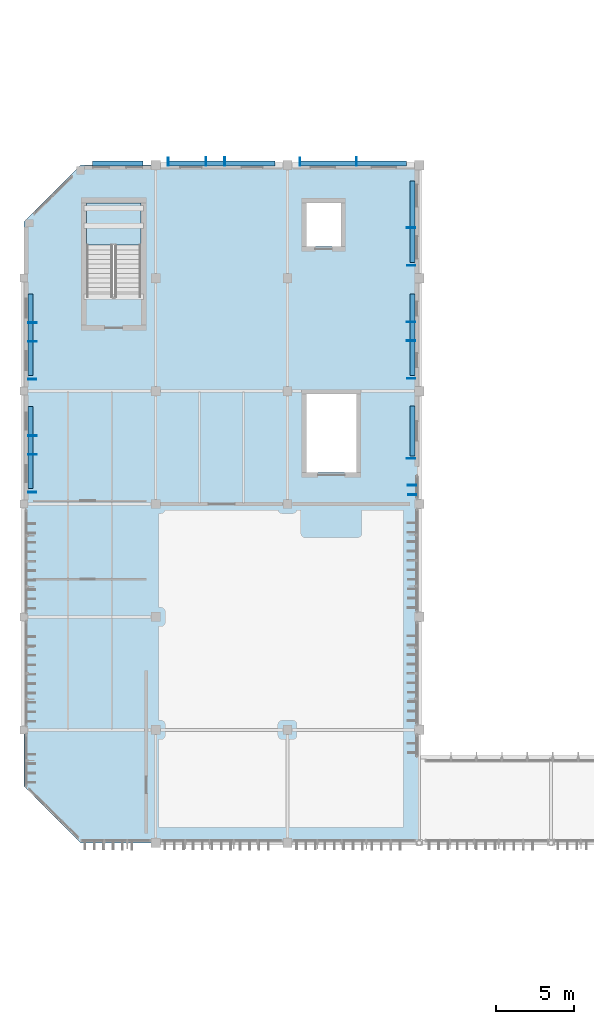
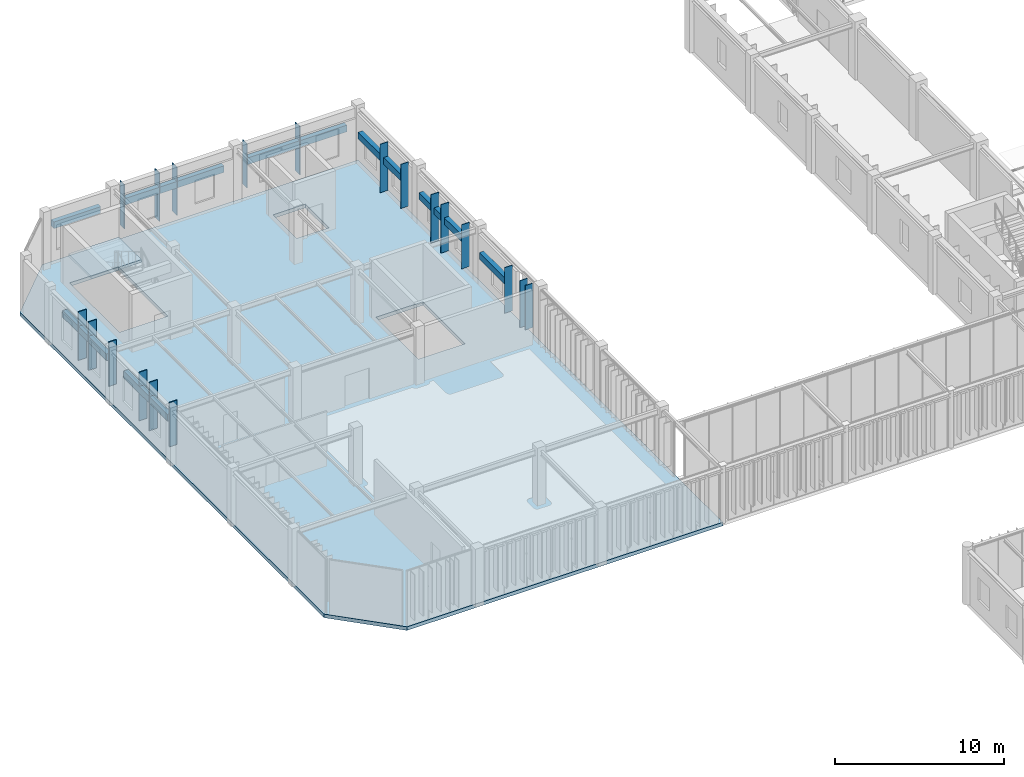
# One storey, part 24 of 104: 27 plates, 2 slabs, 1 element without a shape of its own.
"""IFC4 building model written with IfcOpenShell, lengths in metres."""

from ifc_helpers import new_model, si_unit, direction, frame, origin, origin_2d, place, context, subcontext, project, spatial, polyline, rectangle, outline, extrude, material, layer, layer_set, type_object, element, aggregate, save


model = new_model("IFC4")

# Units and contexts
model_context = context("Model", 3, precision=1e-05, world=origin(), true_north=direction((0.0, 1.0)))
body_context = subcontext(model_context, "Body", "Model", "MODEL_VIEW")
ifc_project = project(units=[si_unit("LENGTHUNIT", "METRE"), si_unit("AREAUNIT", "SQUARE_METRE"), si_unit("VOLUMEUNIT", "CUBIC_METRE"), si_unit("PLANEANGLEUNIT", "RADIAN"), si_unit("MASSUNIT", "GRAM", prefix="KILO")], contexts=[model_context])

# Site, building, storey
site_placement = place(None, origin())
site = spatial("IfcSite", under=ifc_project, at=site_placement, CompositionType="ELEMENT")
building_placement = place(site_placement, origin())
building = spatial("IfcBuilding", under=site, at=building_placement, Name="Tazoul Stagehouse", CompositionType="ELEMENT")
storey_placement = place(building_placement, frame((0.0, 0.0, 9.0)))
storey = spatial("IfcBuildingStorey", under=building, at=storey_placement, Name="L02", CompositionType="ELEMENT", Elevation=9.0)

# Stair, slab
ifc_material_1 = material(Name="Concrete C40/50", Category="concrete")
stair_type = type_object("IfcStairType", Name="Protected Core Dogleg Stair 3900", PredefinedType="HALF_TURN_STAIR", material=ifc_material_1)
stair_placement = place(storey_placement, origin())
stair = element("IfcStair", 1, at=stair_placement, inside=storey, type_object=stair_type, Name="L02 Core Escape Stair ST-06", PredefinedType="HALF_TURN_STAIR")
ifc_layer_1 = layer(ifc_material_1, 0.179931640625, Name="Concrete C40/50")
ifc_layer_set_1 = layer_set([ifc_layer_1], Name="Concrete C40/50")
slab_type_1 = type_object("IfcSlabType", Name="Core Half-Landing Slab 180", PredefinedType="LANDING", material=ifc_layer_set_1)
slab_1_placement = place(storey_placement, frame((0.0, 0.0, 1.89990234375)))
slab_1 = element("IfcSlab", 2, at=slab_1_placement, type_object=slab_type_1, Name="ST-06 landing 1", PredefinedType="LANDING", context=body_context, shape_type="SweptSolid", body=[
    extrude(outline(polyline([(9.85009765625, 82.699951171875), (9.85009765625, 85.39990234375), (6.39990234375, 85.39990234375), (6.39990234375, 82.699951171875), (9.85009765625, 82.699951171875)])), origin(), (0.0, 0.0, 1.0), 0.2001953125),
])
aggregate(stair, [slab_1])

# Plates
ifc_material_2 = material(Name="Anodised Bronze Aluminium 6063-T6", Category="aluminium")
ifc_layer_2 = layer(ifc_material_2, 0.52001953125, Name="Anodised Bronze Aluminium 6063-T6")
ifc_layer_set_2 = layer_set([ifc_layer_2], Name="Anodised Bronze Aluminium 6063-T6")
plate_type_1 = type_object("IfcPlateType", Name="Parametric Terracotta-Bronze Solar Fin 520x3200", PredefinedType="USERDEFINED", material=ifc_layer_set_2)
for number, where, z_axis, x_axis, name in (
    (3, (2.919921875, 66.955078125, 0.64013671875), (0.0, 0.0, 1.0), (0.0, 1.0, 0.0), "L02 Parametric Solar Fin SFN-18 (WALL-V6-W2-L02-S1-01)"),
    (4, (2.919921875, 74.155029296875, 0.64013671875), (0.0, 0.0, 1.0), (0.0, 1.0, 0.0), "L02 Parametric Solar Fin SFN-18 (WALL-V6-W2-L02-S2-01)"),
    (5, (11.60498046875, 88.02001953125, 0.64013671875), (0.0, 0.0, 1.0), (1.0, 0.0, 0.0), "L02 Parametric Solar Fin SFN-18 (WALL-V6-N-L02-S2-01)"),
    (6, (20.0048828125, 88.02001953125, 0.64013671875), (0.0, 0.0, 1.0), (1.0, 0.0, 0.0), "L02 Parametric Solar Fin SFN-18 (WALL-V6-N-L02-S3-01)"),
    (7, (27.14990234375, 66.7900390625, 0.7099609375), (0.0, 0.0, 1.0), (0.0, 1.0, 0.0), "L02 Parametric Solar Fin SFN-18 (CW-V6-E1-L02-B4-01)"),
    (8, (27.080078125, 74.205078125, 0.64013671875), (0.0, 0.0, 1.0), (0.0, 1.0, 0.0), "L02 Parametric Solar Fin SFN-18 (WALL-V6-E2-L02-S2-01)"),
    (9, (27.080078125, 81.405029296875, 0.64013671875), (0.0, 0.0, 1.0), (0.0, 1.0, 0.0), "L02 Parametric Solar Fin SFN-18 (WALL-V6-E2-L02-S3-01)"),
):
    element("IfcPlate", number, at=place(storey_placement, frame(where, z_axis=z_axis, x_axis=x_axis)), inside=storey, type_object=plate_type_1, Name=name, ObjectType="SOLAR FIN", PredefinedType="USERDEFINED", context=body_context, shape_type="SweptSolid", body=[
        extrude(rectangle(XDim=0.044921875, YDim=0.52001953125, at=origin_2d()), origin(), (0.0, 0.0, 1.0), 3.199951171875),
    ])
ifc_layer_3 = layer(ifc_material_2, 0.530029296875, Name="Anodised Bronze Aluminium 6063-T6")
ifc_layer_set_3 = layer_set([ifc_layer_3], Name="Anodised Bronze Aluminium 6063-T6")
plate_type_2 = type_object("IfcPlateType", Name="Parametric Terracotta-Bronze Solar Fin 530x3300", PredefinedType="USERDEFINED", material=ifc_layer_set_3)
plate_1_placement = place(storey_placement, frame((27.074951171875, 69.10009765625, 0.5400390625), z_axis=(0.0, 0.0, 1.0), x_axis=(0.0, 1.0, 0.0)))
element("IfcPlate", 10, at=plate_1_placement, inside=storey, type_object=plate_type_2, Name="L02 Parametric Solar Fin SFN-19 (WALL-V6-E2-L02-S1-01)", ObjectType="SOLAR FIN", PredefinedType="USERDEFINED", context=body_context, shape_type="SweptSolid", body=[
    extrude(rectangle(XDim=0.044921875, YDim=0.530029296875, at=origin_2d()), origin(), (0.0, 0.0, 1.0), 3.300048828125),
])
ifc_layer_4 = layer(ifc_material_2, 0.5400390625, Name="Anodised Bronze Aluminium 6063-T6")
ifc_layer_set_4 = layer_set([ifc_layer_4], Name="Anodised Bronze Aluminium 6063-T6")
plate_type_3 = type_object("IfcPlateType", Name="Parametric Terracotta-Bronze Solar Fin 540x3400", PredefinedType="USERDEFINED", material=ifc_layer_set_4)
plate_2_placement = place(storey_placement, frame((27.139892578125, 67.389892578125, 0.510009765625), z_axis=(0.0, 0.0, 1.0), x_axis=(0.0, 1.0, 0.0)))
element("IfcPlate", 11, at=plate_2_placement, inside=storey, type_object=plate_type_3, Name="L02 Parametric Solar Fin SFN-20 (CW-V6-E1-L02-B4-02)", ObjectType="SOLAR FIN", PredefinedType="USERDEFINED", context=body_context, shape_type="SweptSolid", body=[
    extrude(rectangle(XDim=0.044921875, YDim=0.5400390625, at=origin_2d()), origin(), (0.0, 0.0, 1.0), 3.39990234375),
])
ifc_layer_5 = layer(ifc_material_2, 0.550048828125, Name="Anodised Bronze Aluminium 6063-T6")
ifc_layer_set_5 = layer_set([ifc_layer_5], Name="Anodised Bronze Aluminium 6063-T6")
plate_type_4 = type_object("IfcPlateType", Name="Parametric Terracotta-Bronze Solar Fin 550x3500", PredefinedType="USERDEFINED", material=ifc_layer_set_5)
for number, where, z_axis, x_axis, name in (
    (12, (2.93505859375, 69.35498046875, 0.340087890625), (0.0, 0.0, 1.0), (0.0, 1.0, 0.0), "L02 Parametric Solar Fin SFN-21 (WALL-V6-W2-L02-S1-03)"),
    (13, (2.93505859375, 70.554931640625, 0.340087890625), (0.0, 0.0, 1.0), (0.0, 1.0, 0.0), "L02 Parametric Solar Fin SFN-21 (WALL-V6-W2-L02-S1-04)"),
    (14, (2.93505859375, 76.554931640625, 0.340087890625), (0.0, 0.0, 1.0), (0.0, 1.0, 0.0), "L02 Parametric Solar Fin SFN-21 (WALL-V6-W2-L02-S2-03)"),
    (15, (2.93505859375, 77.7548828125, 0.340087890625), (0.0, 0.0, 1.0), (0.0, 1.0, 0.0), "L02 Parametric Solar Fin SFN-21 (WALL-V6-W2-L02-S2-04)"),
    (16, (14.0048828125, 88.034912109375, 0.340087890625), (0.0, 0.0, 1.0), (1.0, 0.0, 0.0), "L02 Parametric Solar Fin SFN-21 (WALL-V6-N-L02-S2-03)"),
    (17, (15.205078125, 88.034912109375, 0.340087890625), (0.0, 0.0, 1.0), (1.0, 0.0, 0.0), "L02 Parametric Solar Fin SFN-21 (WALL-V6-N-L02-S2-04)"),
    (18, (23.60498046875, 88.034912109375, 0.340087890625), (0.0, 0.0, 1.0), (1.0, 0.0, 0.0), "L02 Parametric Solar Fin SFN-21 (WALL-V6-N-L02-S3-04)"),
    (19, (27.06494140625, 76.60498046875, 0.340087890625), (0.0, 0.0, 1.0), (0.0, 1.0, 0.0), "L02 Parametric Solar Fin SFN-21 (WALL-V6-E2-L02-S2-03)"),
    (20, (27.06494140625, 77.804931640625, 0.340087890625), (0.0, 0.0, 1.0), (0.0, 1.0, 0.0), "L02 Parametric Solar Fin SFN-21 (WALL-V6-E2-L02-S2-04)"),
    (21, (27.06494140625, 83.804931640625, 0.340087890625), (0.0, 0.0, 1.0), (0.0, 1.0, 0.0), "L02 Parametric Solar Fin SFN-21 (WALL-V6-E2-L02-S3-03)"),
):
    element("IfcPlate", number, at=place(storey_placement, frame(where, z_axis=z_axis, x_axis=x_axis)), inside=storey, type_object=plate_type_4, Name=name, ObjectType="SOLAR FIN", PredefinedType="USERDEFINED", context=body_context, shape_type="SweptSolid", body=[
        extrude(rectangle(XDim=0.044921875, YDim=0.550048828125, at=origin_2d()), origin(), (0.0, 0.0, 1.0), 3.5),
    ])
ifc_layer_6 = layer(ifc_material_2, 0.320068359375, Name="Anodised Bronze Aluminium 6063-T6")
ifc_layer_set_6 = layer_set([ifc_layer_6], Name="Anodised Bronze Aluminium 6063-T6")
plate_type_5 = type_object("IfcPlateType", Name="Sculpted Facade Spandrel Ribbon 3200x480", PredefinedType="USERDEFINED", material=ifc_layer_set_6)
for number, where, z_axis, x_axis, name in (
    (22, (8.375, 87.919921875, 2.333984375), (0.0, 0.0, 1.0), (1.0, 0.0, 0.0), "L02 Sculpted Facade Spandrel Ribbon FRB-04 (WALL-V6-N-L02-S1)"),
    (23, (27.179931640625, 70.847412109375, 2.333984375), (0.0, 0.0, 1.0), (0.0, 1.0, 0.0), "L02 Sculpted Facade Spandrel Ribbon FRB-04 (WALL-V6-E2-L02-S1)"),
):
    element("IfcPlate", number, at=place(storey_placement, frame(where, z_axis=z_axis, x_axis=x_axis)), inside=storey, type_object=plate_type_5, Name=name, ObjectType="FACADE RIBBON", PredefinedType="USERDEFINED", context=body_context, shape_type="SweptSolid", body=[
        extrude(rectangle(XDim=3.199951171875, YDim=0.320068359375, at=origin_2d()), origin(), (0.0, 0.0, 1.0), 0.47998046875),
    ])
ifc_layer_7 = layer(ifc_material_2, 0.320068359375, Name="Anodised Bronze Aluminium 6063-T6")
ifc_layer_set_7 = layer_set([ifc_layer_7], Name="Anodised Bronze Aluminium 6063-T6")
plate_type_6 = type_object("IfcPlateType", Name="Sculpted Facade Spandrel Ribbon 5200x480", PredefinedType="USERDEFINED", material=ifc_layer_set_7)
for number, where, z_axis, x_axis, name in (
    (24, (2.820068359375, 69.800048828125, 2.333984375), (0.0, 0.0, 1.0), (0.0, 1.0, 0.0), "L02 Sculpted Facade Spandrel Ribbon FRB-07 (WALL-V6-W2-L02-S1)"),
    (25, (2.820068359375, 77.0, 2.333984375), (0.0, 0.0, 1.0), (0.0, 1.0, 0.0), "L02 Sculpted Facade Spandrel Ribbon FRB-07 (WALL-V6-W2-L02-S2)"),
    (26, (27.179931640625, 77.0, 2.333984375), (0.0, 0.0, 1.0), (0.0, 1.0, 0.0), "L02 Sculpted Facade Spandrel Ribbon FRB-07 (WALL-V6-E2-L02-S2)"),
    (27, (27.179931640625, 84.199951171875, 2.333984375), (0.0, 0.0, 1.0), (0.0, 1.0, 0.0), "L02 Sculpted Facade Spandrel Ribbon FRB-07 (WALL-V6-E2-L02-S3)"),
):
    element("IfcPlate", number, at=place(storey_placement, frame(where, z_axis=z_axis, x_axis=x_axis)), inside=storey, type_object=plate_type_6, Name=name, ObjectType="FACADE RIBBON", PredefinedType="USERDEFINED", context=body_context, shape_type="SweptSolid", body=[
        extrude(rectangle(XDim=5.199951171875, YDim=0.320068359375, at=origin_2d()), origin(), (0.0, 0.0, 1.0), 0.47998046875),
    ])
ifc_layer_8 = layer(ifc_material_2, 0.320068359375, Name="Anodised Bronze Aluminium 6063-T6")
ifc_layer_set_8 = layer_set([ifc_layer_8], Name="Anodised Bronze Aluminium 6063-T6")
plate_type_7 = type_object("IfcPlateType", Name="Sculpted Facade Spandrel Ribbon 6800x480", PredefinedType="USERDEFINED", material=ifc_layer_set_8)
for number, where, z_axis, x_axis, name in (
    (28, (15.0, 87.919921875, 2.333984375), (0.0, 0.0, 1.0), (1.0, 0.0, 0.0), "L02 Sculpted Facade Spandrel Ribbon FRB-10 (WALL-V6-N-L02-S2)"),
    (29, (23.39990234375, 87.919921875, 2.333984375), (0.0, 0.0, 1.0), (1.0, 0.0, 0.0), "L02 Sculpted Facade Spandrel Ribbon FRB-10 (WALL-V6-N-L02-S3)"),
):
    element("IfcPlate", number, at=place(storey_placement, frame(where, z_axis=z_axis, x_axis=x_axis)), inside=storey, type_object=plate_type_7, Name=name, ObjectType="FACADE RIBBON", PredefinedType="USERDEFINED", context=body_context, shape_type="SweptSolid", body=[
        extrude(rectangle(XDim=6.800048828125, YDim=0.320068359375, at=origin_2d()), origin(), (0.0, 0.0, 1.0), 0.47998046875),
    ])

# Slab
ifc_material_3 = material(Name="Concrete C35/45", Category="concrete")
ifc_layer_9 = layer(ifc_material_3, 0.260009765625, Name="Concrete C35/45")
ifc_layer_set_9 = layer_set([ifc_layer_9], Name="Concrete C35/45")
slab_type_2 = type_object("IfcSlabType", Name="Suspended Floor Slab 260", PredefinedType="FLOOR", material=ifc_layer_set_9)
slab_2_placement = place(storey_placement, frame((0.0, 0.0, -0.260009765625)))
element("IfcSlab", 30, at=slab_2_placement, inside=storey, type_object=slab_type_2, Name="L02 Suspended Floor Slab 260 (V6)", PredefinedType="FLOOR", context=body_context, shape_type="SweptSolid", body=[
    extrude(outline(polyline([(6.0, 44.60009765625), (2.39990234375, 48.199951171875), (2.39990234375, 84.199951171875), (6.0, 87.800048828125), (27.60009765625, 87.800048828125), (27.60009765625, 44.60009765625), (6.0, 44.60009765625)]), holes=[polyline([(20.39990234375, 73.199951171875), (23.60009765625, 73.199951171875), (23.60009765625, 68.199951171875), (20.39990234375, 68.199951171875), (20.39990234375, 73.199951171875)]), polyline([(6.4599609375, 85.340087890625), (9.7900390625, 85.340087890625), (9.7900390625, 79.4599609375), (6.4599609375, 79.4599609375), (6.4599609375, 85.340087890625)]), polyline([(20.39990234375, 85.39990234375), (22.60009765625, 85.39990234375), (22.60009765625, 82.60009765625), (20.39990234375, 82.60009765625), (20.39990234375, 85.39990234375)])]), origin(), (0.0, 0.0, 1.0), 0.260009765625),
])

save(model, "model.ifc")
